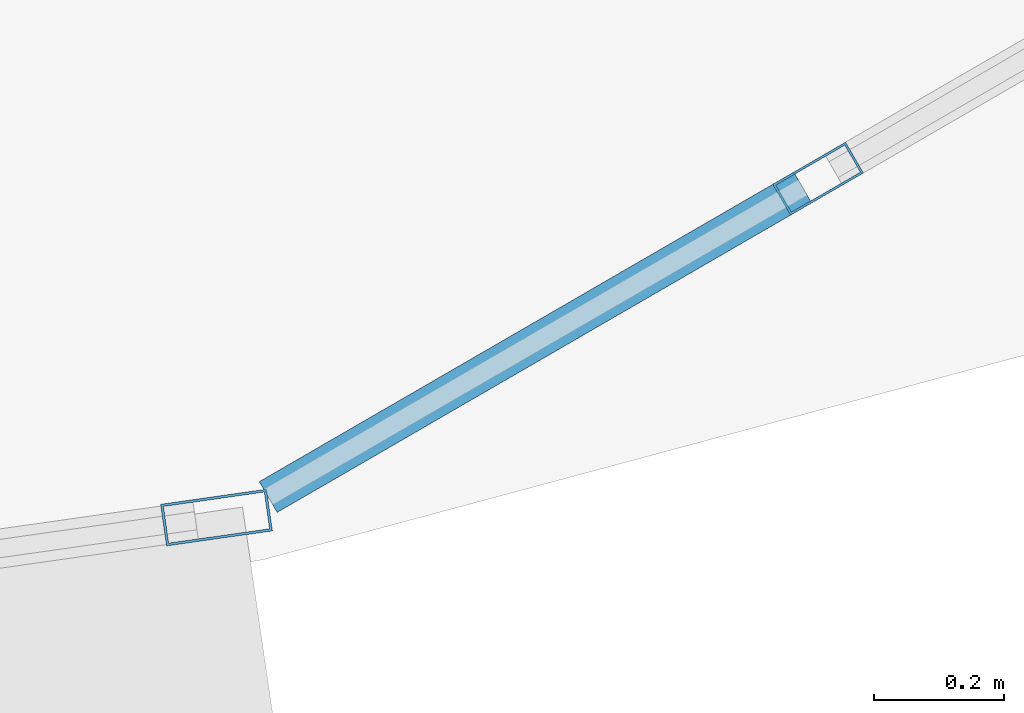
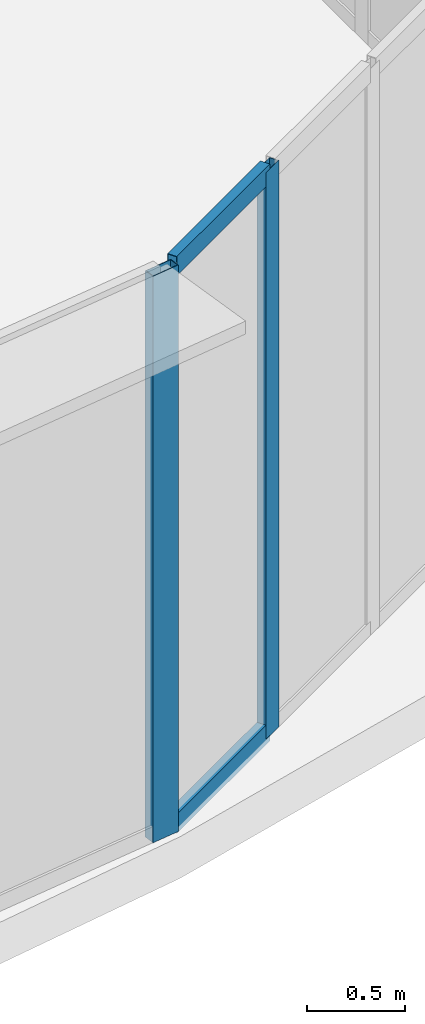
# One storey, part 20 of 39: 4 members, 2 elements without a shape of their own.
"""IFC4 building model written with IfcOpenShell, lengths in metres."""

from ifc_helpers import new_model, si_unit, direction, frame, origin, origin_2d, place, context, subcontext, project, spatial, hollow_rectangle, extrude, source, transform, mapped, material, layer, layer_set, material_profile, profile_set, type_object, element, aggregate, save


model = new_model("IFC4")

# Units and contexts
model_context = context("Model", 3, precision=1e-05, world=origin(), true_north=direction((0.0, 1.0)))
body_context = subcontext(model_context, "Body", "Model", "MODEL_VIEW")
ifc_project = project(units=[si_unit("LENGTHUNIT", "METRE"), si_unit("AREAUNIT", "SQUARE_METRE"), si_unit("VOLUMEUNIT", "CUBIC_METRE"), si_unit("PLANEANGLEUNIT", "RADIAN"), si_unit("MASSUNIT", "GRAM", prefix="KILO"), si_unit("THERMODYNAMICTEMPERATUREUNIT", "KELVIN"), si_unit("POWERUNIT", "WATT")], contexts=[model_context])

# Site, building, storey
site_placement = place(None, origin())
site = spatial("IfcSite", under=ifc_project, at=site_placement, CompositionType="ELEMENT")
building_placement = place(site_placement, origin())
building = spatial("IfcBuilding", under=site, at=building_placement, Name="Yunzhuo Pagoda Commons", CompositionType="ELEMENT")
storey_placement = place(building_placement, frame((0.0, 0.0, 100.179931640625)))
storey = spatial("IfcBuildingStorey", under=building, at=storey_placement, Name="L25", CompositionType="ELEMENT", Elevation=100.179931640625)

# Curtain wall, member
ifc_material = material(Name="Anodized aluminium 6063-T6", Category="aluminium")
ifc_layer_1 = layer(ifc_material, 0.1650390625)
ifc_layer_set_1 = layer_set([ifc_layer_1], Name="Anodized aluminium 6063-T6")
curtain_wall_type_1 = type_object("IfcCurtainWallType", Name="CW-LOW Low-Zone Ribbon Curtain Wall", PredefinedType="NOTDEFINED", material=ifc_layer_set_1)
curtain_wall_1_placement = place(storey_placement, origin())
curtain_wall_1 = element("IfcCurtainWall", 1, at=curtain_wall_1_placement, inside=storey, type_object=curtain_wall_type_1, Name="L25 curtain wall CW-L25-F1B5", PredefinedType="NOTDEFINED")
ifc_material_profile_1 = material_profile(ifc_material, hollow_rectangle(XDim=0.06494140625, YDim=0.1650390625, WallThickness=0.00390625, at=origin_2d()), Name="Anodized aluminium 6063-T6")
ifc_profile_set_1 = profile_set([ifc_material_profile_1], Name="Anodized aluminium 6063-T6")
member_type_1 = type_object("IfcMemberType", Name="CW-LOW-M Mullion RHS 165x65x4", PredefinedType="MULLION", material=ifc_profile_set_1)
shared_shape_1 = source(origin(), body_context, "Body", "SweptSolid", [
    extrude(hollow_rectangle(XDim=0.06494140625, YDim=0.1650390625, WallThickness=0.00390625, at=origin_2d()), origin(), (0.0, 0.0, 1.0), 3.5400390625),
])
member_1_placement = place(storey_placement, frame((85.2880859375, 15.32568359375, 0.0), z_axis=(0.0, 0.0, 1.0), x_axis=(-0.140773671614, 0.990041803855, 0.0)))
member_1 = element("IfcMember", 2, at=member_1_placement, type_object=member_type_1, Name="CW mullion 2", PredefinedType="MULLION", context=body_context, shape_type="MappedRepresentation", body=[
    mapped(shared_shape_1, transform((0.0, 0.0, 0.0), scale=1.0)),
])
aggregate(curtain_wall_1, [member_1])

# Curtain wall, members
ifc_layer_2 = layer(ifc_material, 0.1298828125)
ifc_layer_set_2 = layer_set([ifc_layer_2], Name="Anodized aluminium 6063-T6")
curtain_wall_type_2 = type_object("IfcCurtainWallType", Name="CW-VTX Rounded Corner Curtain Wall", PredefinedType="NOTDEFINED", material=ifc_layer_set_2)
curtain_wall_2_placement = place(storey_placement, origin())
curtain_wall_2 = element("IfcCurtainWall", 3, at=curtain_wall_2_placement, inside=storey, type_object=curtain_wall_type_2, Name="L25 curtain wall CW-L25-VTX2S1", PredefinedType="NOTDEFINED")
ifc_material_profile_2 = material_profile(ifc_material, hollow_rectangle(XDim=0.054931640625, YDim=0.1298828125, WallThickness=0.00341796875, at=origin_2d()), Name="Anodized aluminium 6063-T6")
ifc_profile_set_2 = profile_set([ifc_material_profile_2], Name="Anodized aluminium 6063-T6")
member_type_2 = type_object("IfcMemberType", Name="CW-VTX-M Mullion RHS 130x55x3.5", PredefinedType="MULLION", material=ifc_profile_set_2)
shared_shape_2 = source(origin(), body_context, "Body", "SweptSolid", [
    extrude(hollow_rectangle(XDim=0.054931640625, YDim=0.1298828125, WallThickness=0.00341796875, at=origin_2d()), origin(), (0.0, 0.0, 1.0), 3.5400390625),
])
member_2_placement = place(storey_placement, frame((86.21630859375, 15.8486328125, 0.0), z_axis=(0.0, 0.0, 1.0), x_axis=(-0.501035509214, 0.865426726249, 0.0)))
member_2 = element("IfcMember", 4, at=member_2_placement, type_object=member_type_2, Name="CW mullion 2", PredefinedType="MULLION", context=body_context, shape_type="MappedRepresentation", body=[
    mapped(shared_shape_2, transform((0.0, 0.0, 0.0), scale=1.0)),
])
ifc_material_profile_3 = material_profile(ifc_material, hollow_rectangle(XDim=0.054931640625, YDim=0.1201171875, WallThickness=0.00341796875, at=origin_2d()), Name="Anodized aluminium 6063-T6")
ifc_profile_set_3 = profile_set([ifc_material_profile_3], Name="Anodized aluminium 6063-T6")
member_type_3 = type_object("IfcMemberType", Name="CW-VTX-T Transom RHS 120x55x3.5", PredefinedType="USERDEFINED", material=ifc_profile_set_3)
shared_shape_3 = source(origin(), body_context, "Body", "SweptSolid", [
    extrude(hollow_rectangle(XDim=0.054931640625, YDim=0.1201171875, WallThickness=0.00341796875, at=origin_2d()), origin(), (0.0, 0.0, 1.0), 0.952880859375),
])
member_3_placement = place(storey_placement, frame((85.367919921875, 15.357421875, 0.02783203125), z_axis=(0.865391204156, 0.501096860666, 0.0), x_axis=(-0.501096860666, 0.865391204156, 0.0)))
member_3 = element("IfcMember", 5, at=member_3_placement, type_object=member_type_3, Name="CW transom 1.1", ObjectType="TRANSOM", PredefinedType="USERDEFINED", context=body_context, shape_type="MappedRepresentation", body=[
    mapped(shared_shape_3, transform((0.0, 0.0, 0.0), scale=1.0)),
])
member_4_placement = place(storey_placement, frame((85.367919921875, 15.357421875, 3.512451171875), z_axis=(0.865391204156, 0.501096860666, 0.0), x_axis=(-0.501096860666, 0.865391204156, 0.0)))
member_4 = element("IfcMember", 6, at=member_4_placement, type_object=member_type_3, Name="CW transom 1.2", ObjectType="TRANSOM", PredefinedType="USERDEFINED", context=body_context, shape_type="MappedRepresentation", body=[
    mapped(shared_shape_3, transform((0.0, 0.0, 0.0), scale=1.0)),
])
aggregate(curtain_wall_2, [member_2, member_3, member_4])

save(model, "model.ifc")
